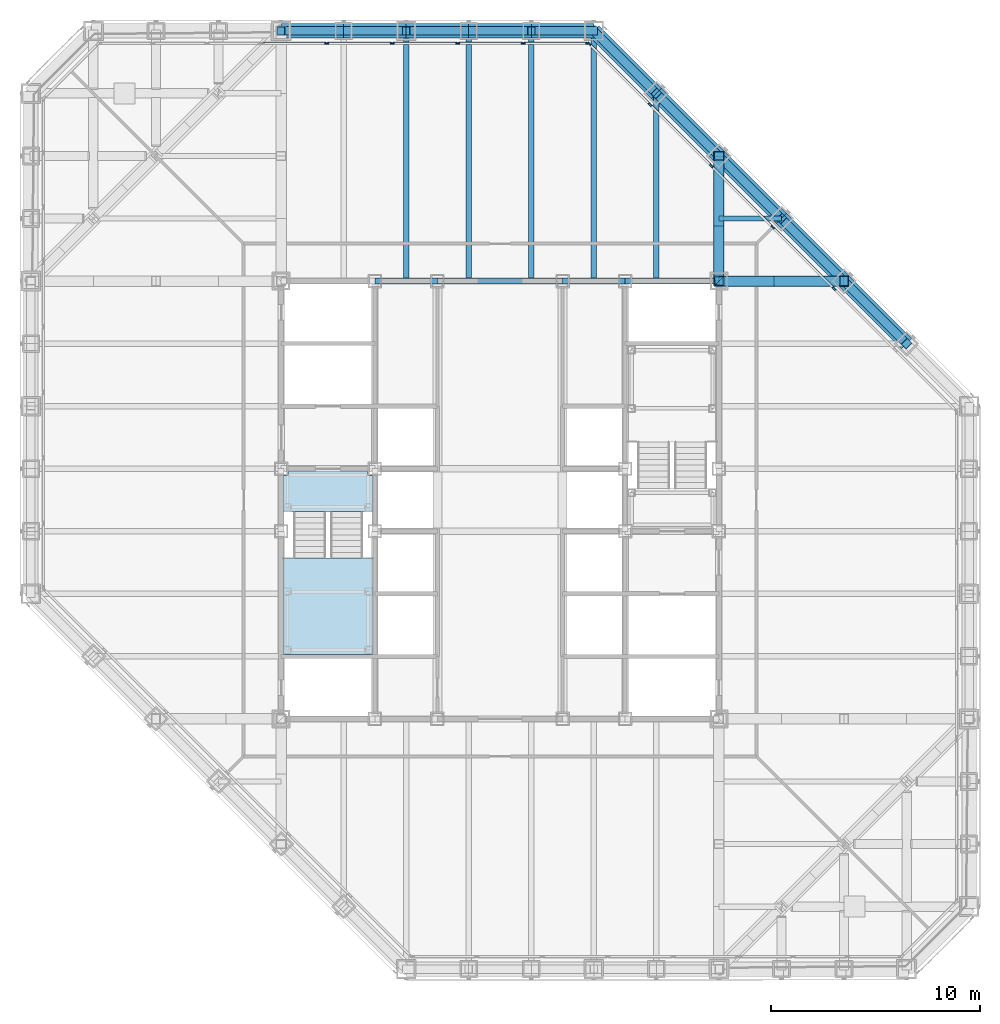
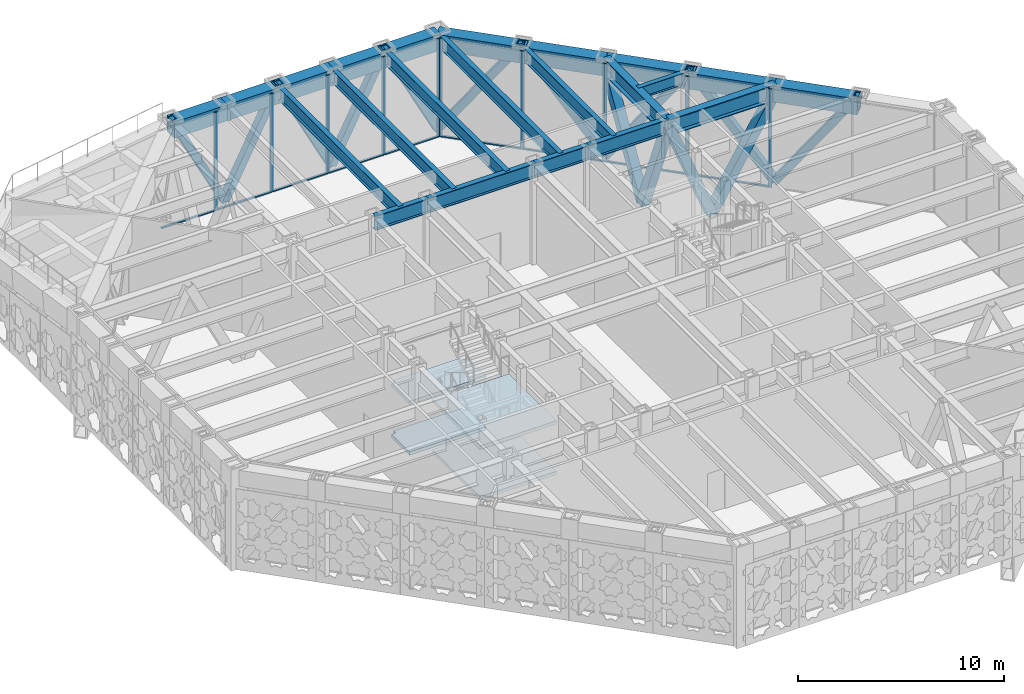
# One storey, part 9 of 28: 33 members, 22 beams, 4 slabs, 3 elements without a shape of their own.
"""IFC4 building model written with IfcOpenShell, lengths in metres."""

from ifc_helpers import new_model, si_unit, direction, frame, origin, origin_2d, place, context, subcontext, project, spatial, polyline, rectangle, hollow_rectangle, i_section, outline, extrude, material, layer, layer_set, material_profile, profile_set, type_object, element, aggregate, save


model = new_model("IFC4")

# Units and contexts
model_context = context("Model", 3, precision=1e-05, world=origin(), true_north=direction((0.0, 1.0)))
body_context = subcontext(model_context, "Body", "Model", "MODEL_VIEW")
ifc_project = project(units=[si_unit("LENGTHUNIT", "METRE"), si_unit("AREAUNIT", "SQUARE_METRE"), si_unit("VOLUMEUNIT", "CUBIC_METRE"), si_unit("PLANEANGLEUNIT", "RADIAN"), si_unit("MASSUNIT", "GRAM", prefix="KILO")], contexts=[model_context])

# Site, building, storey
site_placement = place(None, origin())
site = spatial("IfcSite", under=ifc_project, at=site_placement, CompositionType="ELEMENT")
building_placement = place(site_placement, origin())
building = spatial("IfcBuilding", under=site, at=building_placement, Name="Chuquiago Exchange Tower", CompositionType="ELEMENT")
storey_placement = place(building_placement, frame((0.0, 0.0, 174.0)))
storey = spatial("IfcBuildingStorey", under=building, at=storey_placement, Name="L38", CompositionType="ELEMENT", Elevation=174.0)

# Beams
ifc_material_1 = material(Name="Steel ASTM A992", Category="steel")
ifc_material_profile_1 = material_profile(ifc_material_1, i_section(OverallWidth=0.2919921875, OverallDepth=0.8583984375, WebThickness=0.01708984375, FlangeThickness=0.031005859375, at=origin_2d()), Name="W33X169")
ifc_profile_set_1 = profile_set([ifc_material_profile_1], Name="Steel ASTM A992")
beam_type_1 = type_object("IfcBeamType", Name="B3 W33X169", PredefinedType="BEAM", material=ifc_profile_set_1)
beam_1_placement = place(storey_placement, frame((16.5, 33.0, 5.41064453125), z_axis=(1.0, 0.0, 0.0), x_axis=(0.0, 1.0, 0.0)))
element("IfcBeam", 1, at=beam_1_placement, inside=storey, type_object=beam_type_1, Name="CB-L39-16.5_33-19.5_33", PredefinedType="BEAM", context=body_context, shape_type="SweptSolid", body=[
    extrude(i_section(OverallWidth=0.2919921875, OverallDepth=0.8583984375, WebThickness=0.01708984375, FlangeThickness=0.031005859375, at=origin_2d()), origin(), (0.0, 0.0, 1.0), 3.0),
])
beam_2_placement = place(storey_placement, frame((19.5, 33.0, 5.41064453125), z_axis=(1.0, 0.0, 0.0), x_axis=(0.0, 1.0, 0.0)))
element("IfcBeam", 2, at=beam_2_placement, inside=storey, type_object=beam_type_1, Name="CB-L39-19.5_33-25.5_33", PredefinedType="BEAM", context=body_context, shape_type="SweptSolid", body=[
    extrude(i_section(OverallWidth=0.2919921875, OverallDepth=0.8583984375, WebThickness=0.01708984375, FlangeThickness=0.031005859375, at=origin_2d()), origin(), (0.0, 0.0, 1.0), 6.0),
])
beam_3_placement = place(storey_placement, frame((25.5, 33.0, 5.41064453125), z_axis=(1.0, 0.0, 0.0), x_axis=(0.0, 1.0, 0.0)))
element("IfcBeam", 3, at=beam_3_placement, inside=storey, type_object=beam_type_1, Name="CB-L39-25.5_33-28.5_33", PredefinedType="BEAM", context=body_context, shape_type="SweptSolid", body=[
    extrude(i_section(OverallWidth=0.2919921875, OverallDepth=0.8583984375, WebThickness=0.01708984375, FlangeThickness=0.031005859375, at=origin_2d()), origin(), (0.0, 0.0, 1.0), 3.0),
])
beam_4_placement = place(storey_placement, frame((28.5, 33.0, 5.41064453125), z_axis=(1.0, 0.0, 0.0), x_axis=(0.0, 1.0, 0.0)))
element("IfcBeam", 4, at=beam_4_placement, inside=storey, type_object=beam_type_1, Name="CB-L39-28.5_33-33_33", PredefinedType="BEAM", context=body_context, shape_type="SweptSolid", body=[
    extrude(i_section(OverallWidth=0.2919921875, OverallDepth=0.8583984375, WebThickness=0.01708984375, FlangeThickness=0.031005859375, at=origin_2d()), origin(), (0.0, 0.0, 1.0), 4.5),
])
ifc_material_2 = material(Name="Steel ASTM A992", Category="steel")
ifc_material_profile_2 = material_profile(ifc_material_2, i_section(OverallWidth=0.2666015625, OverallDepth=0.761962890625, WebThickness=0.014404296875, FlangeThickness=0.021484375, at=origin_2d()), Name="W30X116")
ifc_profile_set_2 = profile_set([ifc_material_profile_2], Name="Steel ASTM A992")
beam_type_2 = type_object("IfcBeamType", Name="B8 W30X116", PredefinedType="BEAM", material=ifc_profile_set_2)
for number, where, z_axis, x_axis, name in (
    (5, (18.0, 33.0, 5.458984375), (0.0, 1.0, 0.0), (-1.0, 0.0, 0.0), "FB-L39-infill-18_33-18_45-0"),
    (6, (21.0, 33.0, 5.458984375), (0.0, 1.0, 0.0), (-1.0, 0.0, 0.0), "FB-L39-infill-21_33-21_45-0"),
    (7, (24.0, 33.0, 5.458984375), (0.0, 1.0, 0.0), (-1.0, 0.0, 0.0), "FB-L39-infill-24_33-24_45-0"),
    (8, (27.0, 33.0, 5.458984375), (0.0, 1.0, 0.0), (-1.0, 0.0, 0.0), "FB-L39-infill-27_33-27_45-0"),
):
    element("IfcBeam", number, at=place(storey_placement, frame(where, z_axis=z_axis, x_axis=x_axis)), inside=storey, type_object=beam_type_2, Name=name, PredefinedType="BEAM", context=body_context, shape_type="SweptSolid", body=[
        extrude(i_section(OverallWidth=0.2666015625, OverallDepth=0.761962890625, WebThickness=0.014404296875, FlangeThickness=0.021484375, at=origin_2d()), origin(), (0.0, 0.0, 1.0), 12.0),
    ])
beam_5_placement = place(storey_placement, frame((30.0, 33.0, 5.458984375), z_axis=(0.0, 1.0, 0.0), x_axis=(-1.0, 0.0, 0.0)))
element("IfcBeam", 9, at=beam_5_placement, inside=storey, type_object=beam_type_2, Name="FB-L39-infill-30_33-30_42-0", PredefinedType="BEAM", context=body_context, shape_type="SweptSolid", body=[
    extrude(i_section(OverallWidth=0.2666015625, OverallDepth=0.761962890625, WebThickness=0.014404296875, FlangeThickness=0.021484375, at=origin_2d()), origin(), (0.0, 0.0, 1.0), 9.0),
])
ifc_material_3 = material(Name="Steel ASTM A992", Category="steel")
ifc_material_profile_3 = material_profile(ifc_material_3, i_section(OverallWidth=0.256591796875, OverallDepth=0.693359375, WebThickness=0.014404296875, FlangeThickness=0.023681640625, at=origin_2d()), Name="W27X114")
ifc_profile_set_3 = profile_set([ifc_material_profile_3], Name="Steel ASTM A992")
beam_type_3 = type_object("IfcBeamType", Name="B9 W27X114", PredefinedType="BEAM", material=ifc_profile_set_3)
beam_6_placement = place(storey_placement, frame((33.0, 36.0, 5.493408203125), z_axis=(1.0, 0.0, 0.0), x_axis=(0.0, 1.0, 0.0)))
element("IfcBeam", 10, at=beam_6_placement, inside=storey, type_object=beam_type_3, Name="FB-L39-corner-33_36-36_36-0", PredefinedType="BEAM", context=body_context, shape_type="SweptSolid", body=[
    extrude(i_section(OverallWidth=0.256591796875, OverallDepth=0.693359375, WebThickness=0.014404296875, FlangeThickness=0.023681640625, at=origin_2d()), origin(), (0.0, 0.0, 1.0), 3.0),
])

# Members
ifc_material_4 = material(Name="Steel ASTM A500 Grade C", Category="steel")
ifc_material_profile_4 = material_profile(ifc_material_4, hollow_rectangle(XDim=0.406494140625, YDim=0.406494140625, WallThickness=0.0146484375, at=origin_2d()), Name="HSS16X16X5/8")
ifc_profile_set_4 = profile_set([ifc_material_profile_4], Name="Steel ASTM A500 Grade C")
member_type_1 = type_object("IfcMemberType", Name="BT1 HSS16X16X5/8", PredefinedType="BRACE", material=ifc_profile_set_4)
for number, where, z_axis, x_axis, name in (
    (11, (39.0, 33.0, 0.0), (0.415599269943, -0.415599269943, 0.80904542125), (0.707106781187, 0.707106781187, 0.0), "Belt truss L38 diagonal"),
    (12, (39.0, 33.0, 0.0), (-0.415599269943, 0.415599269943, 0.80904542125), (-0.707106781187, -0.707106781187, 0.0), "Belt truss L38 diagonal"),
    (13, (33.0, 39.0, 0.0), (0.415599269943, -0.415599269943, 0.80904542125), (0.707106781187, 0.707106781187, 0.0), "Belt truss L38 diagonal"),
    (14, (33.0, 39.0, 0.0), (-0.415599269943, 0.415599269943, 0.80904542125), (-0.707106781187, -0.707106781187, 0.0), "Belt truss L38 diagonal"),
    (15, (27.0, 45.0, 0.0), (0.415599269943, -0.415599269943, 0.80904542125), (0.707106781187, 0.707106781187, 0.0), "Belt truss L38 diagonal"),
):
    element("IfcMember", number, at=place(storey_placement, frame(where, z_axis=z_axis, x_axis=x_axis)), inside=storey, type_object=member_type_1, Name=name, PredefinedType="BRACE", context=body_context, shape_type="SweptSolid", body=[
        extrude(hollow_rectangle(XDim=0.406494140625, YDim=0.406494140625, WallThickness=0.0146484375, at=origin_2d()), origin(), (0.0, 0.0, 1.0), 7.218505859375),
    ])
for number, where, z_axis, x_axis, name in (
    (16, (27.0, 45.0, 0.0), (-0.456929540486, 0.0, 0.889502892087), (0.0, -1.0, 0.0), "Belt truss L38 diagonal"),
    (17, (21.0, 45.0, 0.0), (0.456929540486, 0.0, 0.889502892087), (0.0, 1.0, 0.0), "Belt truss L38 diagonal"),
    (18, (21.0, 45.0, 0.0), (-0.456929540486, 0.0, 0.889502892087), (0.0, -1.0, 0.0), "Belt truss L38 diagonal"),
    (19, (15.0, 45.0, 0.0), (0.456929540486, 0.0, 0.889502892087), (0.0, 1.0, 0.0), "Belt truss L38 diagonal"),
    (20, (15.0, 45.0, 0.0), (-0.456929540486, 0.0, 0.889502892087), (0.0, -1.0, 0.0), "Belt truss L38 diagonal"),
):
    element("IfcMember", number, at=place(storey_placement, frame(where, z_axis=z_axis, x_axis=x_axis)), inside=storey, type_object=member_type_1, Name=name, PredefinedType="BRACE", context=body_context, shape_type="SweptSolid", body=[
        extrude(hollow_rectangle(XDim=0.406494140625, YDim=0.406494140625, WallThickness=0.0146484375, at=origin_2d()), origin(), (0.0, 0.0, 1.0), 6.565673828125),
    ])

# Curtain wall, members
ifc_material_5 = material(Name="Aluminium curtain wall system", Category="aluminium")
ifc_layer_1 = layer(ifc_material_5, 0.199951171875)
ifc_layer_set_1 = layer_set([ifc_layer_1], Name="CW6 plant floor louvre wall")
curtain_wall_type = type_object("IfcCurtainWallType", Name="CW6 plant floor louvre wall", PredefinedType="NOTDEFINED", material=ifc_layer_set_1)
curtain_wall_1_placement = place(storey_placement, origin())
curtain_wall_1 = element("IfcCurtainWall", 21, at=curtain_wall_1_placement, inside=storey, type_object=curtain_wall_type, Name="CW6 curtain wall L38", PredefinedType="NOTDEFINED")
ifc_material_6 = material(Name="Aluminium mullion, pale anodised", Category="aluminium")
ifc_material_profile_5 = material_profile(ifc_material_6, rectangle(XDim=0.074951171875, YDim=0.199951171875, at=origin_2d()), Name="AL 75x200")
ifc_profile_set_5 = profile_set([ifc_material_profile_5], Name="Aluminium mullion, pale anodised")
member_type_2 = type_object("IfcMemberType", Name="CW6-M mullion 75x200", PredefinedType="MULLION", material=ifc_profile_set_5)
member_1_placement = place(storey_placement, frame((38.51708984375, 32.63427734375, 0.0), z_axis=(0.0, 0.0, 1.0), x_axis=(-0.707106781187, -0.707106781187, 0.0)))
member_1 = element("IfcMember", 22, at=member_1_placement, type_object=member_type_2, Name="CW6 mullion 3", PredefinedType="MULLION", context=body_context, shape_type="SweptSolid", body=[
    extrude(rectangle(XDim=0.074951171875, YDim=0.199951171875, at=origin_2d()), origin(), (0.0, 0.0, 1.0), 5.840087890625),
])
member_2_placement = place(storey_placement, frame((35.57568359375, 35.57568359375, 0.0), z_axis=(0.0, 0.0, 1.0), x_axis=(-0.707106781187, -0.707106781187, 0.0)))
member_2 = element("IfcMember", 23, at=member_2_placement, type_object=member_type_2, Name="CW6 mullion 4", PredefinedType="MULLION", context=body_context, shape_type="SweptSolid", body=[
    extrude(rectangle(XDim=0.074951171875, YDim=0.199951171875, at=origin_2d()), origin(), (0.0, 0.0, 1.0), 5.840087890625),
])
member_3_placement = place(storey_placement, frame((32.63427734375, 38.51708984375, 0.0), z_axis=(0.0, 0.0, 1.0), x_axis=(-0.707106781187, -0.707106781187, 0.0)))
member_3 = element("IfcMember", 24, at=member_3_placement, type_object=member_type_2, Name="CW6 mullion 5", PredefinedType="MULLION", context=body_context, shape_type="SweptSolid", body=[
    extrude(rectangle(XDim=0.074951171875, YDim=0.199951171875, at=origin_2d()), origin(), (0.0, 0.0, 1.0), 5.840087890625),
])
member_4_placement = place(storey_placement, frame((29.69287109375, 41.45849609375, 0.0), z_axis=(0.0, 0.0, 1.0), x_axis=(-0.707106781187, -0.707106781187, 0.0)))
member_4 = element("IfcMember", 25, at=member_4_placement, type_object=member_type_2, Name="CW6 mullion 6", PredefinedType="MULLION", context=body_context, shape_type="SweptSolid", body=[
    extrude(rectangle(XDim=0.074951171875, YDim=0.199951171875, at=origin_2d()), origin(), (0.0, 0.0, 1.0), 5.840087890625),
])
member_5_placement = place(storey_placement, frame((26.778076171875, 44.37353515625, 0.0), z_axis=(0.0, 0.0, 1.0), x_axis=(-0.707106781187, -0.707106781187, 0.0)))
member_5 = element("IfcMember", 26, at=member_5_placement, type_object=member_type_2, Name="CW6 mullion 7", PredefinedType="MULLION", context=body_context, shape_type="SweptSolid", body=[
    extrude(rectangle(XDim=0.074951171875, YDim=0.199951171875, at=origin_2d()), origin(), (0.0, 0.0, 1.0), 5.840087890625),
])

curtain_wall_2_placement = place(storey_placement, origin())
curtain_wall_2 = element("IfcCurtainWall", 27, at=curtain_wall_2_placement, inside=storey, type_object=curtain_wall_type, Name="CW6 curtain wall L38", PredefinedType="NOTDEFINED")
member_6_placement = place(storey_placement, frame((26.714111328125, 44.39990234375, 0.0), z_axis=(0.0, 0.0, 1.0), x_axis=(0.0, -1.0, 0.0)))
member_6 = element("IfcMember", 28, at=member_6_placement, type_object=member_type_2, Name="CW6 mullion 1", PredefinedType="MULLION", context=body_context, shape_type="SweptSolid", body=[
    extrude(rectangle(XDim=0.074951171875, YDim=0.199951171875, at=origin_2d()), origin(), (0.0, 0.0, 1.0), 5.840087890625),
])
member_7_placement = place(storey_placement, frame((23.610595703125, 44.39990234375, 0.0), z_axis=(0.0, 0.0, 1.0), x_axis=(0.0, -1.0, 0.0)))
member_7 = element("IfcMember", 29, at=member_7_placement, type_object=member_type_2, Name="CW6 mullion 2", PredefinedType="MULLION", context=body_context, shape_type="SweptSolid", body=[
    extrude(rectangle(XDim=0.074951171875, YDim=0.199951171875, at=origin_2d()), origin(), (0.0, 0.0, 1.0), 5.840087890625),
])
member_8_placement = place(storey_placement, frame((20.469482421875, 44.39990234375, 0.0), z_axis=(0.0, 0.0, 1.0), x_axis=(0.0, -1.0, 0.0)))
member_8 = element("IfcMember", 30, at=member_8_placement, type_object=member_type_2, Name="CW6 mullion 3", PredefinedType="MULLION", context=body_context, shape_type="SweptSolid", body=[
    extrude(rectangle(XDim=0.074951171875, YDim=0.199951171875, at=origin_2d()), origin(), (0.0, 0.0, 1.0), 5.840087890625),
])
member_9_placement = place(storey_placement, frame((17.32861328125, 44.39990234375, 0.0), z_axis=(0.0, 0.0, 1.0), x_axis=(0.0, -1.0, 0.0)))
member_9 = element("IfcMember", 31, at=member_9_placement, type_object=member_type_2, Name="CW6 mullion 4", PredefinedType="MULLION", context=body_context, shape_type="SweptSolid", body=[
    extrude(rectangle(XDim=0.074951171875, YDim=0.199951171875, at=origin_2d()), origin(), (0.0, 0.0, 1.0), 5.840087890625),
])
member_10_placement = place(storey_placement, frame((14.1875, 44.39990234375, 0.0), z_axis=(0.0, 0.0, 1.0), x_axis=(0.0, -1.0, 0.0)))
member_10 = element("IfcMember", 32, at=member_10_placement, type_object=member_type_2, Name="CW6 mullion 5", PredefinedType="MULLION", context=body_context, shape_type="SweptSolid", body=[
    extrude(rectangle(XDim=0.074951171875, YDim=0.199951171875, at=origin_2d()), origin(), (0.0, 0.0, 1.0), 5.840087890625),
])

# Member
ifc_material_7 = material(Name="Aluminium transom, pale anodised", Category="aluminium")
ifc_material_profile_6 = material_profile(ifc_material_7, rectangle(XDim=0.1201171875, YDim=0.074951171875, at=origin_2d()), Name="AL 120x75")
ifc_profile_set_6 = profile_set([ifc_material_profile_6], Name="Aluminium transom, pale anodised")
member_type_3 = type_object("IfcMemberType", Name="CW6-T transom 75x120", PredefinedType="MULLION", material=ifc_profile_set_6)
member_11_placement = place(storey_placement, frame((38.49072265625, 32.660888671875, 0.03759765625), z_axis=(-0.707106781187, 0.707106781187, 0.0), x_axis=(-0.707106781187, -0.707106781187, 0.0)))
member_11 = element("IfcMember", 33, at=member_11_placement, type_object=member_type_3, Name="CW6 transom 3.1", PredefinedType="MULLION", context=body_context, shape_type="SweptSolid", body=[
    extrude(rectangle(XDim=0.1201171875, YDim=0.074951171875, at=origin_2d()), origin(), (0.0, 0.0, 1.0), 4.0849609375),
])

member_12_placement = place(storey_placement, frame((35.54931640625, 35.602294921875, 0.03759765625), z_axis=(-0.707106781187, 0.707106781187, 0.0), x_axis=(-0.707106781187, -0.707106781187, 0.0)))
member_12 = element("IfcMember", 34, at=member_12_placement, type_object=member_type_3, Name="CW6 transom 4.1", PredefinedType="MULLION", context=body_context, shape_type="SweptSolid", body=[
    extrude(rectangle(XDim=0.1201171875, YDim=0.074951171875, at=origin_2d()), origin(), (0.0, 0.0, 1.0), 4.0849609375),
])

member_13_placement = place(storey_placement, frame((32.60791015625, 38.543701171875, 0.03759765625), z_axis=(-0.707106781187, 0.707106781187, 0.0), x_axis=(-0.707106781187, -0.707106781187, 0.0)))
member_13 = element("IfcMember", 35, at=member_13_placement, type_object=member_type_3, Name="CW6 transom 5.1", PredefinedType="MULLION", context=body_context, shape_type="SweptSolid", body=[
    extrude(rectangle(XDim=0.1201171875, YDim=0.074951171875, at=origin_2d()), origin(), (0.0, 0.0, 1.0), 4.0849609375),
])

member_14_placement = place(storey_placement, frame((29.66650390625, 41.485107421875, 0.03759765625), z_axis=(-0.707136940781, 0.707076620305, 0.0), x_axis=(-0.707076620305, -0.707136940781, 0.0)))
member_14 = element("IfcMember", 36, at=member_14_placement, type_object=member_type_3, Name="CW6 transom 6.1", PredefinedType="MULLION", context=body_context, shape_type="SweptSolid", body=[
    extrude(rectangle(XDim=0.1201171875, YDim=0.074951171875, at=origin_2d()), origin(), (0.0, 0.0, 1.0), 4.04736328125),
])

aggregate(curtain_wall_1, [member_1, member_2, member_3, member_4, member_5, member_11, member_12, member_13, member_14])

member_15_placement = place(storey_placement, frame((26.676513671875, 44.39990234375, 0.03759765625), z_axis=(-1.0, 0.0, 0.0), x_axis=(0.0, -1.0, 0.0)))
member_15 = element("IfcMember", 37, at=member_15_placement, type_object=member_type_3, Name="CW6 transom 1.1", PredefinedType="MULLION", context=body_context, shape_type="SweptSolid", body=[
    extrude(rectangle(XDim=0.1201171875, YDim=0.074951171875, at=origin_2d()), origin(), (0.0, 0.0, 1.0), 3.028564453125),
])

member_16_placement = place(storey_placement, frame((23.572998046875, 44.39990234375, 0.03759765625), z_axis=(-1.0, 0.0, 0.0), x_axis=(0.0, -1.0, 0.0)))
member_16 = element("IfcMember", 38, at=member_16_placement, type_object=member_type_3, Name="CW6 transom 2.1", PredefinedType="MULLION", context=body_context, shape_type="SweptSolid", body=[
    extrude(rectangle(XDim=0.1201171875, YDim=0.074951171875, at=origin_2d()), origin(), (0.0, 0.0, 1.0), 3.06591796875),
])

member_17_placement = place(storey_placement, frame((20.431884765625, 44.39990234375, 0.03759765625), z_axis=(-1.0, 0.0, 0.0), x_axis=(0.0, -1.0, 0.0)))
member_17 = element("IfcMember", 39, at=member_17_placement, type_object=member_type_3, Name="CW6 transom 3.1", PredefinedType="MULLION", context=body_context, shape_type="SweptSolid", body=[
    extrude(rectangle(XDim=0.1201171875, YDim=0.074951171875, at=origin_2d()), origin(), (0.0, 0.0, 1.0), 3.06591796875),
])

member_18_placement = place(storey_placement, frame((17.291015625, 44.39990234375, 0.03759765625), z_axis=(-1.0, 0.0, 0.0), x_axis=(0.0, -1.0, 0.0)))
member_18 = element("IfcMember", 40, at=member_18_placement, type_object=member_type_3, Name="CW6 transom 4.1", PredefinedType="MULLION", context=body_context, shape_type="SweptSolid", body=[
    extrude(rectangle(XDim=0.1201171875, YDim=0.074951171875, at=origin_2d()), origin(), (0.0, 0.0, 1.0), 3.06591796875),
])

member_19_placement = place(storey_placement, frame((14.14990234375, 44.39990234375, 0.03759765625), z_axis=(-1.0, 0.0, 0.0), x_axis=(0.0, -1.0, 0.0)))
member_19 = element("IfcMember", 41, at=member_19_placement, type_object=member_type_3, Name="CW6 transom 5.1", PredefinedType="MULLION", context=body_context, shape_type="SweptSolid", body=[
    extrude(rectangle(XDim=0.1201171875, YDim=0.074951171875, at=origin_2d()), origin(), (0.0, 0.0, 1.0), 3.0283203125),
])

aggregate(curtain_wall_2, [member_6, member_7, member_8, member_9, member_10, member_15, member_16, member_17, member_18, member_19])

# Beams
ifc_material_8 = material(Name="Steel ASTM A992", Category="steel")
ifc_material_profile_7 = material_profile(ifc_material_8, i_section(OverallWidth=0.424072265625, OverallDepth=0.947509765625, WebThickness=0.02392578125, FlangeThickness=0.042724609375, at=origin_2d()), Name="W36X302")
ifc_profile_set_7 = profile_set([ifc_material_profile_7], Name="Steel ASTM A992")
beam_type_4 = type_object("IfcBeamType", Name="G4 W36X302", PredefinedType="BEAM", material=ifc_profile_set_7)
for number, where, z_axis, x_axis, name in (
    (42, (33.0, 33.0, 5.3662109375), (0.0, 1.0, 0.0), (-1.0, 0.0, 0.0), "FB-L39-girder-33_33-33_39-0"),
    (43, (33.0, 33.0, 5.3662109375), (1.0, 0.0, 0.0), (0.0, 1.0, 0.0), "FB-L39-girder-33_33-39_33-0"),
):
    element("IfcBeam", number, at=place(storey_placement, frame(where, z_axis=z_axis, x_axis=x_axis)), inside=storey, type_object=beam_type_4, Name=name, PredefinedType="BEAM", context=body_context, shape_type="SweptSolid", body=[
        extrude(i_section(OverallWidth=0.424072265625, OverallDepth=0.947509765625, WebThickness=0.02392578125, FlangeThickness=0.042724609375, at=origin_2d()), origin(), (0.0, 0.0, 1.0), 6.0),
    ])

# Members
ifc_material_9 = material(Name="Steel ASTM A572 Grade 50", Category="steel")
ifc_material_profile_8 = material_profile(ifc_material_9, hollow_rectangle(XDim=0.5, YDim=0.5, WallThickness=0.0400390625, at=origin_2d()), Name="BOX500X500X40")
ifc_profile_set_8 = profile_set([ifc_material_profile_8], Name="Steel ASTM A572 Grade 50")
member_type_4 = type_object("IfcMemberType", Name="OT1 BOX500X500X40", PredefinedType="BRACE", material=ifc_profile_set_8)
member_20_placement = place(storey_placement, frame((33.0, 33.0, 5.3662109375), z_axis=(0.0, 0.371377648723, -0.928481901832), x_axis=(-1.0, 0.0, 0.0)))
element("IfcMember", 44, at=member_20_placement, inside=storey, type_object=member_type_4, Name="Outrigger diagonal L38", PredefinedType="BRACE", context=body_context, shape_type="SweptSolid", body=[
    extrude(hollow_rectangle(XDim=0.5, YDim=0.5, WallThickness=0.0400390625, at=origin_2d()), origin(), (0.0, 0.0, 1.0), 6.462158203125),
])
member_21_placement = place(storey_placement, frame((33.0, 35.39990234375, -0.6337890625), z_axis=(0.0, 0.514506017516, 0.857486768376), x_axis=(-1.0, 0.0, 0.0)))
element("IfcMember", 45, at=member_21_placement, inside=storey, type_object=member_type_4, Name="Outrigger diagonal L38", PredefinedType="BRACE", context=body_context, shape_type="SweptSolid", body=[
    extrude(hollow_rectangle(XDim=0.5, YDim=0.5, WallThickness=0.0400390625, at=origin_2d()), origin(), (0.0, 0.0, 1.0), 6.997314453125),
])
member_22_placement = place(storey_placement, frame((33.0, 33.0, 5.3662109375), z_axis=(0.371377648723, 0.0, -0.928481901832), x_axis=(0.0, 1.0, 0.0)))
element("IfcMember", 46, at=member_22_placement, inside=storey, type_object=member_type_4, Name="Outrigger diagonal L38", PredefinedType="BRACE", context=body_context, shape_type="SweptSolid", body=[
    extrude(hollow_rectangle(XDim=0.5, YDim=0.5, WallThickness=0.0400390625, at=origin_2d()), origin(), (0.0, 0.0, 1.0), 6.462158203125),
])
member_23_placement = place(storey_placement, frame((35.39990234375, 33.0, -0.6337890625), z_axis=(0.514506017516, 0.0, 0.857486768376), x_axis=(0.0, 1.0, 0.0)))
element("IfcMember", 47, at=member_23_placement, inside=storey, type_object=member_type_4, Name="Outrigger diagonal L38", PredefinedType="BRACE", context=body_context, shape_type="SweptSolid", body=[
    extrude(hollow_rectangle(XDim=0.5, YDim=0.5, WallThickness=0.0400390625, at=origin_2d()), origin(), (0.0, 0.0, 1.0), 6.997314453125),
])

# Beams
ifc_material_10 = material(Name="Steel ASTM A572 Grade 50", Category="steel")
ifc_material_profile_9 = material_profile(ifc_material_10, hollow_rectangle(XDim=0.699951171875, YDim=0.949951171875, WallThickness=0.10009765625, at=origin_2d()), Name="BOX950X700X100")
ifc_profile_set_9 = profile_set([ifc_material_profile_9], Name="Steel ASTM A572 Grade 50")
beam_type_5 = type_object("IfcBeamType", Name="SP5 BOX950X700X100", PredefinedType="SPANDREL", material=ifc_profile_set_9)
for number, where, z_axis, x_axis, name in (
    (48, (42.0, 30.0, 5.364990234375), (-0.707106781187, 0.707106781187, 0.0), (-0.707106781187, -0.707106781187, 0.0), "SPB-L39-42_30-39_33"),
    (49, (39.0, 33.0, 5.364990234375), (-0.707106781187, 0.707106781187, 0.0), (-0.707106781187, -0.707106781187, 0.0), "SPB-L39-39_33-36_36"),
    (50, (36.0, 36.0, 5.364990234375), (-0.707106781187, 0.707106781187, 0.0), (-0.707106781187, -0.707106781187, 0.0), "SPB-L39-36_36-33_39"),
    (51, (33.0, 39.0, 5.364990234375), (-0.707106781187, 0.707106781187, 0.0), (-0.707106781187, -0.707106781187, 0.0), "SPB-L39-33_39-30_42"),
    (52, (30.0, 42.0, 5.364990234375), (-0.707106781187, 0.707106781187, 0.0), (-0.707106781187, -0.707106781187, 0.0), "SPB-L39-30_42-27_45"),
):
    element("IfcBeam", number, at=place(storey_placement, frame(where, z_axis=z_axis, x_axis=x_axis)), inside=storey, type_object=beam_type_5, Name=name, PredefinedType="SPANDREL", context=body_context, shape_type="SweptSolid", body=[
        extrude(hollow_rectangle(XDim=0.699951171875, YDim=0.949951171875, WallThickness=0.10009765625, at=origin_2d()), origin(), (0.0, 0.0, 1.0), 4.24267578125),
    ])
for number, where, z_axis, x_axis, name in (
    (53, (27.0, 45.0, 5.364990234375), (-1.0, 0.0, 0.0), (0.0, -1.0, 0.0), "SPB-L39-27_45-24_45"),
    (54, (24.0, 45.0, 5.364990234375), (-1.0, 0.0, 0.0), (0.0, -1.0, 0.0), "SPB-L39-24_45-21_45"),
    (55, (21.0, 45.0, 5.364990234375), (-1.0, 0.0, 0.0), (0.0, -1.0, 0.0), "SPB-L39-21_45-18_45"),
    (56, (18.0, 45.0, 5.364990234375), (-1.0, 0.0, 0.0), (0.0, -1.0, 0.0), "SPB-L39-18_45-15_45"),
    (57, (15.0, 45.0, 5.364990234375), (-1.0, 0.0, 0.0), (0.0, -1.0, 0.0), "SPB-L39-15_45-12_45"),
):
    element("IfcBeam", number, at=place(storey_placement, frame(where, z_axis=z_axis, x_axis=x_axis)), inside=storey, type_object=beam_type_5, Name=name, PredefinedType="SPANDREL", context=body_context, shape_type="SweptSolid", body=[
        extrude(hollow_rectangle(XDim=0.699951171875, YDim=0.949951171875, WallThickness=0.10009765625, at=origin_2d()), origin(), (0.0, 0.0, 1.0), 3.0),
    ])

# Stair, slabs
ifc_material_11 = material(Name="Concrete C30/37, precast", Category="concrete")
stair_type = type_object("IfcStairType", Name="ST1 double half-turn stair 6000", PredefinedType="DOUBLE_RETURN_STAIR", material=ifc_material_11)
stair_placement = place(storey_placement, origin())
stair = element("IfcStair", 58, at=stair_placement, inside=storey, type_object=stair_type, Name="Stair ST1 L38", PredefinedType="DOUBLE_RETURN_STAIR")
ifc_material_12 = material(Name="Concrete C30/37, precast", Category="concrete")
ifc_layer_2 = layer(ifc_material_12, 0.199951171875)
ifc_layer_set_2 = layer_set([ifc_layer_2], Name="ST-L landing 200")
slab_type = type_object("IfcSlabType", Name="ST-L landing 200", PredefinedType="LANDING", material=ifc_layer_set_2)
slab_1_placement = place(storey_placement, frame((0.0, 0.0, -0.199951171875)))
slab_1 = element("IfcSlab", 59, at=slab_1_placement, type_object=slab_type, Name="ST1 landing 1", PredefinedType="LANDING", context=body_context, shape_type="SweptSolid", body=[
    extrude(outline(polyline([(12.324951171875, 23.89990234375), (16.175048828125, 23.89990234375), (16.175048828125, 23.675048828125), (16.39990234375, 23.675048828125), (16.39990234375, 21.949951171875), (12.10009765625, 21.949951171875), (12.10009765625, 23.675048828125), (12.324951171875, 23.675048828125), (12.324951171875, 23.89990234375)])), origin(), (0.0, 0.0, 1.0), 0.199951171875),
])
slab_2_placement = place(storey_placement, frame((0.0, 0.0, 1.300048828125)))
slab_2 = element("IfcSlab", 60, at=slab_2_placement, type_object=slab_type, Name="ST1 landing 2", PredefinedType="LANDING", context=body_context, shape_type="SweptSolid", body=[
    extrude(outline(polyline([(12.10009765625, 19.7099609375), (16.39990234375, 19.7099609375), (16.39990234375, 15.10009765625), (12.10009765625, 15.10009765625), (12.10009765625, 19.7099609375)])), origin(), (0.0, 0.0, 1.0), 0.199951171875),
])
slab_3_placement = place(storey_placement, frame((0.0, 0.0, 2.800048828125)))
slab_3 = element("IfcSlab", 61, at=slab_3_placement, type_object=slab_type, Name="ST1 landing 3", PredefinedType="LANDING", context=body_context, shape_type="SweptSolid", body=[
    extrude(outline(polyline([(12.324951171875, 23.89990234375), (16.175048828125, 23.89990234375), (16.175048828125, 23.675048828125), (16.39990234375, 23.675048828125), (16.39990234375, 21.949951171875), (12.10009765625, 21.949951171875), (12.10009765625, 23.675048828125), (12.324951171875, 23.675048828125), (12.324951171875, 23.89990234375)])), origin(), (0.0, 0.0, 1.0), 0.199951171875),
])
slab_4_placement = place(storey_placement, frame((0.0, 0.0, 4.300048828125)))
slab_4 = element("IfcSlab", 62, at=slab_4_placement, type_object=slab_type, Name="ST1 landing 4", PredefinedType="LANDING", context=body_context, shape_type="SweptSolid", body=[
    extrude(outline(polyline([(12.10009765625, 19.7099609375), (16.39990234375, 19.7099609375), (16.39990234375, 15.10009765625), (12.10009765625, 15.10009765625), (12.10009765625, 19.7099609375)])), origin(), (0.0, 0.0, 1.0), 0.199951171875),
])
aggregate(stair, [slab_1, slab_2, slab_3, slab_4])

save(model, "model.ifc")
